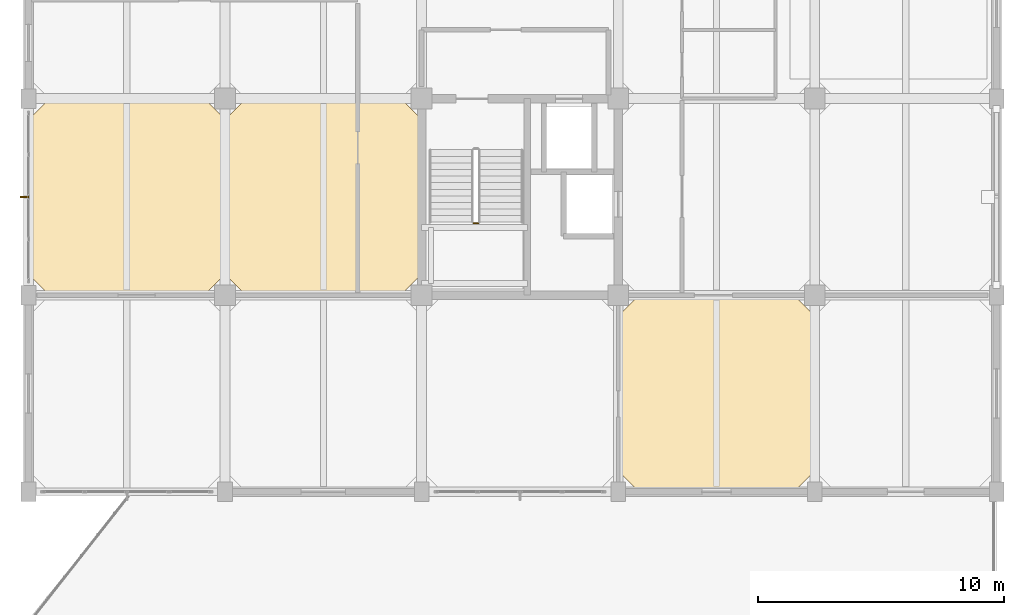
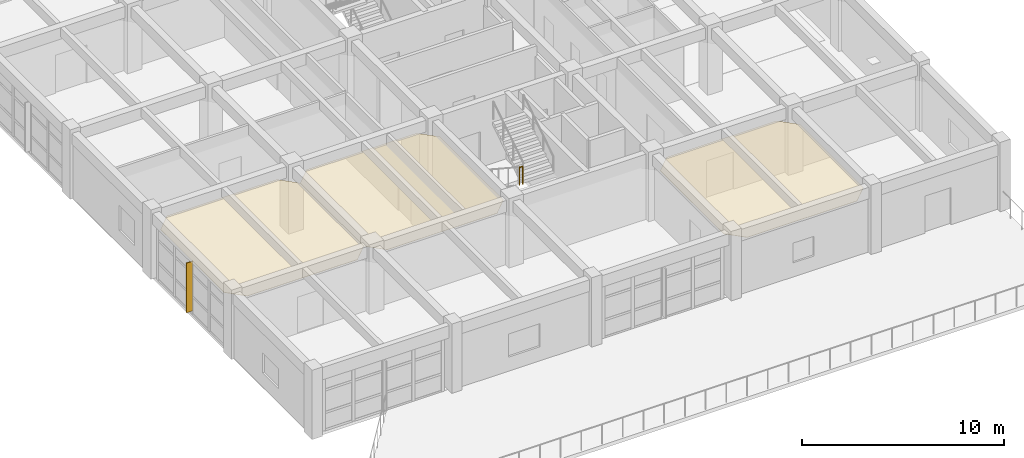
# One storey, part 26 of 30: 3 coverings, 1 railing, 1 shading device.
"""IFC4 building model written with IfcOpenShell, lengths in metres."""

from ifc_helpers import new_model, si_unit, direction, frame, origin, origin_2d, place, context, subcontext, project, spatial, polyline, rectangle, circle, outline, extrude, material, layer, layer_set, type_object, element, save


model = new_model("IFC4")

# Units and contexts
model_context = context("Model", 3, precision=1e-05, world=origin(), true_north=direction((0.0, 1.0)))
body_context = subcontext(model_context, "Body", "Model", "MODEL_VIEW")
ifc_project = project(units=[si_unit("LENGTHUNIT", "METRE"), si_unit("AREAUNIT", "SQUARE_METRE"), si_unit("VOLUMEUNIT", "CUBIC_METRE"), si_unit("PLANEANGLEUNIT", "RADIAN"), si_unit("MASSUNIT", "GRAM", prefix="KILO")], contexts=[model_context])

# Site, building, storey
site_placement = place(None, origin())
site = spatial("IfcSite", under=ifc_project, at=site_placement, CompositionType="ELEMENT")
building_placement = place(site_placement, origin())
building = spatial("IfcBuilding", under=site, at=building_placement, Name="Canggui Botanical Conservatory", CompositionType="ELEMENT")
storey_placement = place(building_placement, frame((0.0, 0.0, 27.60009765625)))
storey = spatial("IfcBuildingStorey", under=building, at=storey_placement, Name="L07", CompositionType="ELEMENT", Elevation=27.60009765625)

# Coverings
ifc_material_1 = material(Name="Mineral Fibre Acoustic Board")
ifc_layer_1 = layer(ifc_material_1, 0.014892578125, Name="Mineral Fibre Acoustic Board")
ifc_layer_set_1 = layer_set([ifc_layer_1], Name="Mineral Fibre Acoustic Board")
covering_type_1 = type_object("IfcCoveringType", Name="COV-CEIL-15", PredefinedType="CEILING", material=ifc_layer_set_1)
covering_1_placement = place(storey_placement, frame((0.0, 0.0, 3.19482421875)))
element("IfcCovering", 1, at=covering_1_placement, inside=storey, type_object=covering_type_1, Name="Suspended Acoustic Ceiling L07-146-42", PredefinedType="CEILING", context=body_context, shape_type="SweptSolid", body=[
    extrude(outline(polyline([(146.85009765625, 42.0), (153.14990234375, 42.0), (154.0, 42.85009765625), (154.0, 49.14990234375), (153.14990234375, 50.0), (146.85009765625, 50.0), (146.0, 49.14990234375), (146.0, 42.85009765625), (146.85009765625, 42.0)])), origin(), (0.0, 0.0, 1.0), 0.01513671875),
])
ifc_material_2 = material(Name="Perforated Gypsum Acoustic Panel")
ifc_layer_2 = layer(ifc_material_2, 0.02001953125, Name="Perforated Gypsum Acoustic Panel")
ifc_layer_set_2 = layer_set([ifc_layer_2], Name="Perforated Gypsum Acoustic Panel")
covering_type_2 = type_object("IfcCoveringType", Name="COV-CEIL-20", PredefinedType="CEILING", material=ifc_layer_set_2)
covering_2_placement = place(storey_placement, frame((0.0, 0.0, 3.18994140625)))
element("IfcCovering", 2, at=covering_2_placement, inside=storey, type_object=covering_type_2, Name="Suspended Acoustic Ceiling L07-138-42", PredefinedType="CEILING", context=body_context, shape_type="SweptSolid", body=[
    extrude(outline(polyline([(138.85009765625, 42.0), (145.14990234375, 42.0), (146.0, 42.85009765625), (146.0, 49.14990234375), (145.14990234375, 50.0), (138.85009765625, 50.0), (138.0, 49.14990234375), (138.0, 42.85009765625), (138.85009765625, 42.0)])), origin(), (0.0, 0.0, 1.0), 0.02001953125),
])
covering_3_placement = place(storey_placement, frame((0.0, 0.0, 3.18994140625)))
element("IfcCovering", 3, at=covering_3_placement, inside=storey, type_object=covering_type_2, Name="Suspended Acoustic Ceiling L07-162-34", PredefinedType="CEILING", context=body_context, shape_type="SweptSolid", body=[
    extrude(outline(polyline([(162.85009765625, 34.0), (169.14990234375, 34.0), (170.0, 34.85009765625), (170.0, 41.14990234375), (169.14990234375, 42.0), (162.85009765625, 42.0), (162.0, 41.14990234375), (162.0, 34.85009765625), (162.85009765625, 34.0)])), origin(), (0.0, 0.0, 1.0), 0.02001953125),
])

# Railing
ifc_material_3 = material(Name="Stainless Steel 304", Category="steel")
railing_type = type_object("IfcRailingType", Name="RAIL-GUARD-1100", PredefinedType="BALUSTRADE", material=ifc_material_3)
railing_placement = place(storey_placement, frame((156.1201171875, 44.922119140625, 2.099853515625)))
element("IfcRailing", 4, at=railing_placement, inside=storey, type_object=railing_type, Name="L07 ST-T1 stair guard 2", PredefinedType="BALUSTRADE", context=body_context, shape_type="SweptSolid", body=[
    extrude(circle(Radius=0.02392578125, at=origin_2d()), frame((0.0, 0.0, 1.076171875), z_axis=(1.0, 0.0, 0.0), x_axis=(0.0, 1.0, 0.0)), (0.0, 0.0, 1.0), 0.179931640625),
    extrude(circle(Radius=0.02099609375, at=origin_2d()), origin(), (0.0, 0.0, 1.0), 1.052001953125),
    extrude(circle(Radius=0.02099609375, at=origin_2d()), frame((0.179931640625, 0.0, 0.0)), (0.0, 0.0, 1.0), 1.052001953125),
])

# Shading device
ifc_material_4 = material(Name="Anodised Aluminium", Category="aluminium")
shading_device_type = type_object("IfcShadingDeviceType", Name="SHD-FIN02", PredefinedType="AWNING", material=ifc_material_4)
shading_device_placement = place(storey_placement, frame((137.8349609375, 46.0, 0.199951171875), z_axis=(0.0, 0.0, 1.0), x_axis=(0.0, 1.0, 0.0)))
element("IfcShadingDevice", 5, at=shading_device_placement, inside=storey, type_object=shading_device_type, Name="Solar Shading Fin CW-TWR-L07-07", PredefinedType="AWNING", context=body_context, shape_type="SweptSolid", body=[
    extrude(rectangle(XDim=0.06005859375, YDim=0.360107421875, at=origin_2d()), origin(), (0.0, 0.0, 1.0), 3.0),
])

save(model, "model.ifc")
